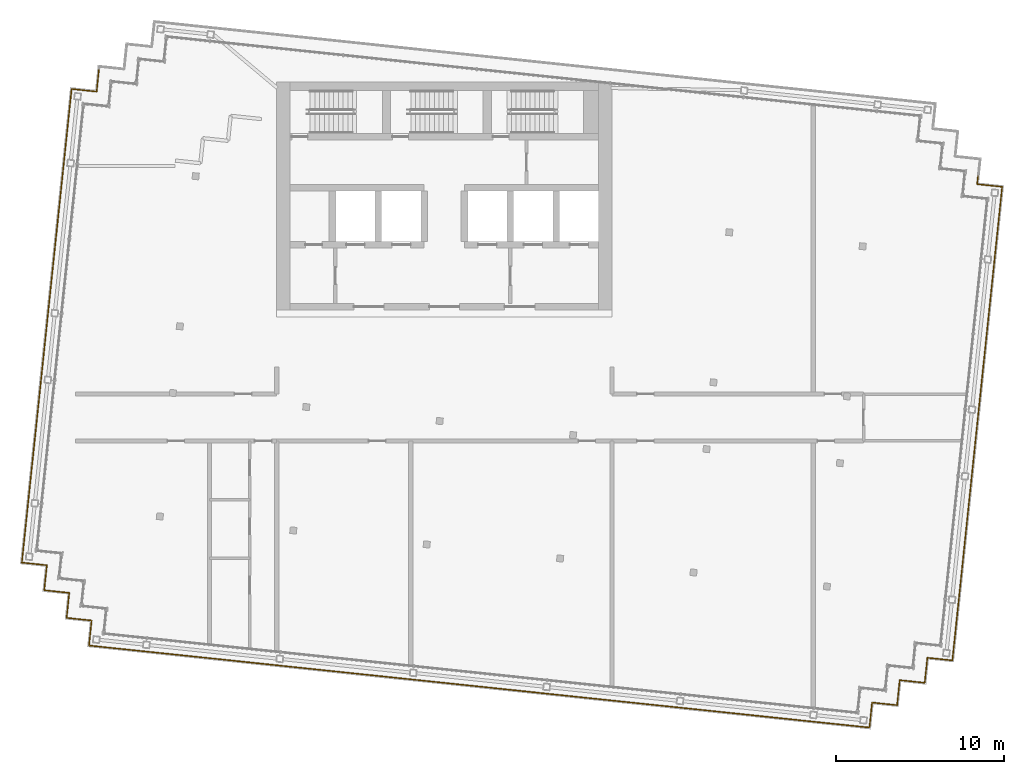
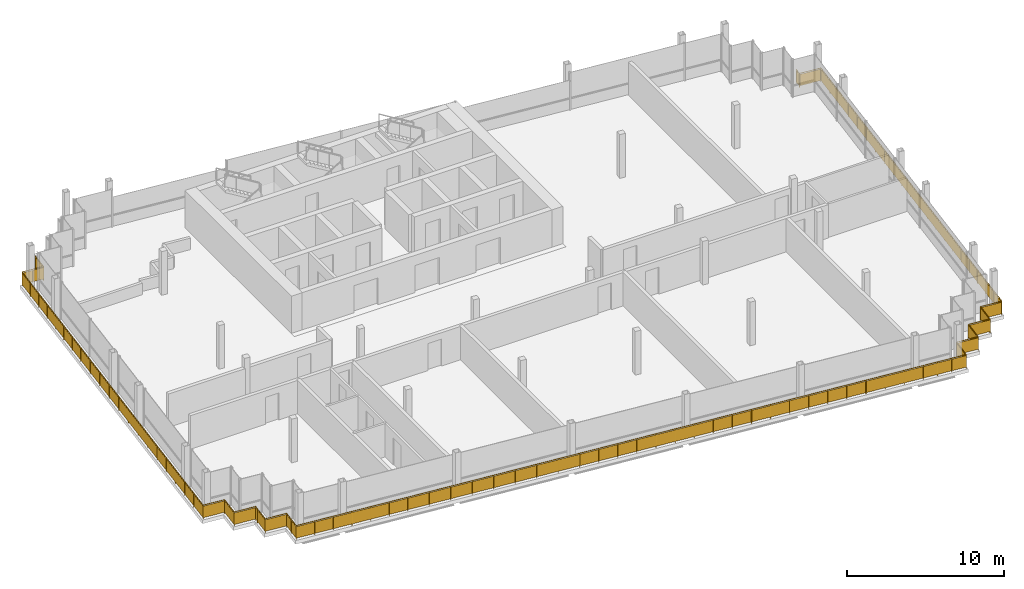
# One storey, part 13 of 15: 11 railings.
"""IFC4 building model written with IfcOpenShell, lengths in metres."""

import ifcopenshell
import ifcopenshell.guid

model = None  # the IFC model being written
_history = None  # IfcOwnerHistory: only IFC2X3 demands one
_inside = {}  # id of a spatial element -> (the spatial element, [elements in it])
_under = {}  # id of a project, library or spatial element -> (it, [spatial elements below it])
_declared = {}  # id of a project -> (the project, [libraries it declares])
_typed = {}  # id of a type object -> (the type object, [elements of that type])
_made_of = {}  # id of a material, layer set ... -> (it, [elements and type objects made of it])


def new_model(schema):
    """Start an empty IFC model of exactly this schema.

    Asked for "IFC4X3", IfcOpenShell would pick the latest addendum, in which some entities
    have other attributes; the version numbers below select the first issue.
    IFC2X3 requires an IfcOwnerHistory on every rooted entity: one is made here for all.
    """
    global model, _history
    if schema == "IFC4X3":
        model = ifcopenshell.file(schema_version=(4, 3, 0, 0))
    else:
        model = ifcopenshell.file(schema=schema)
    _inside.clear()
    _under.clear()
    _declared.clear()
    _typed.clear()
    _made_of.clear()
    _history = None
    if model.schema == "IFC2X3":
        org = make("IfcOrganization", Name="unknown")
        user = make(
            "IfcPersonAndOrganization",
            ThePerson=make("IfcPerson", FamilyName="unknown"),
            TheOrganization=org,
        )
        app = make(
            "IfcApplication",
            ApplicationDeveloper=org,
            Version="unknown",
            ApplicationFullName="unknown",
            ApplicationIdentifier="unknown",
        )
        _history = make(
            "IfcOwnerHistory",
            OwningUser=user,
            OwningApplication=app,
            ChangeAction="ADDED",
            CreationDate=0,
        )
    return model


def make(cls, **values):
    """One entity of the class cls with the attributes given. An attribute that is None is left unset."""
    return model.create_entity(
        cls, **{name: value for name, value in values.items() if value is not None}
    )


def rooted(cls, **values):
    """An entity with a GlobalId (a new one), such as an element, a storey or a relation."""
    return make(cls, GlobalId=ifcopenshell.guid.new(), OwnerHistory=_history, **values)


def si_unit(unit_type, name, prefix=None):
    """IfcSIUnit, for example si_unit("LENGTHUNIT", "METRE", prefix="MILLI")."""
    return make("IfcSIUnit", UnitType=unit_type, Prefix=prefix, Name=name)


def assignment(units):
    """IfcUnitAssignment: the units of a project."""
    return None if units is None else make("IfcUnitAssignment", Units=units)


def point(xyz):
    """IfcCartesianPoint."""
    return None if xyz is None else make("IfcCartesianPoint", Coordinates=xyz)


def direction(xyz):
    """IfcDirection."""
    return None if xyz is None else make("IfcDirection", DirectionRatios=xyz)


def frame(location, z_axis=None, x_axis=None):
    """IfcAxis2Placement3D, a coordinate frame: its origin and axes. An axis left out is left unset."""
    return make(
        "IfcAxis2Placement3D",
        Location=point(location),
        Axis=direction(z_axis),
        RefDirection=direction(x_axis),
    )


def frame_2d(location, x_axis=None):
    """IfcAxis2Placement2D, a coordinate frame in the plane: its origin and x axis."""
    return make(
        "IfcAxis2Placement2D", Location=point(location), RefDirection=direction(x_axis)
    )


def origin():
    """The frame at (0, 0, 0) with its axes left unset."""
    return frame((0.0, 0.0, 0.0))


def origin_2d():
    """The frame at (0, 0) in the plane with its x axis left unset."""
    return frame_2d((0.0, 0.0))


def place(relative_to, where):
    """IfcLocalPlacement: puts the frame where relative to a parent placement (None: the world)."""
    return make(
        "IfcLocalPlacement", PlacementRelTo=relative_to, RelativePlacement=where
    )


def context(
    kind, dimensions, precision=None, world=None, true_north=None, identifier=None
):
    """IfcGeometricRepresentationContext, for example the 3D "Model" context."""
    return make(
        "IfcGeometricRepresentationContext",
        ContextIdentifier=identifier,
        ContextType=kind,
        CoordinateSpaceDimension=dimensions,
        Precision=precision,
        WorldCoordinateSystem=world,
        TrueNorth=true_north,
    )


def subcontext(parent, identifier, kind, view, scale=None):
    """IfcGeometricRepresentationSubContext, for example "Body" below "Model"."""
    return make(
        "IfcGeometricRepresentationSubContext",
        ContextIdentifier=identifier,
        ContextType=kind,
        ParentContext=parent,
        TargetScale=scale,
        TargetView=view,
    )


def project(units=None, contexts=None):
    """IfcProject with its units and contexts."""
    return rooted(
        "IfcProject",
        Name="project",
        RepresentationContexts=contexts,
        UnitsInContext=assignment(units),
    )


def spatial(cls, under=None, at=None, **own):
    """A site, building, storey or space (cls), placed at a placement, below another one or the project."""
    s = rooted(cls, ObjectPlacement=at, **own)
    if under is not None:
        _under.setdefault(under.id(), (under, []))[1].append(s)
    return s


def profile(cls, at=None, kind="AREA", **sizes):
    """A parametric profile (cls). Its sizes go by their IFC names, for example OverallWidth=200.0."""
    return make(cls, ProfileType=kind, Position=at, **sizes)


def rectangle(**sizes):
    """IfcRectangleProfileDef."""
    return profile("IfcRectangleProfileDef", **sizes)


def circle(**sizes):
    """IfcCircleProfileDef."""
    return profile("IfcCircleProfileDef", **sizes)


def extrude(swept, where, along, depth):
    """IfcExtrudedAreaSolid: the profile swept, set in the frame where, extruded along a direction by depth."""
    return make(
        "IfcExtrudedAreaSolid",
        SweptArea=swept,
        Position=where,
        ExtrudedDirection=direction(along),
        Depth=depth,
    )


def shape(context_of_items, identifier, shape_type, items):
    """IfcShapeRepresentation: the items that make up one representation, for example the "Body"."""
    return make(
        "IfcShapeRepresentation",
        ContextOfItems=context_of_items,
        RepresentationIdentifier=identifier,
        RepresentationType=shape_type,
        Items=items,
    )


def material(Name=None, Category=None):
    """IfcMaterial."""
    return make("IfcMaterial", Name=Name, Category=Category)


def made_of(thing, what):
    """Note that an element or type object is made of a material, layer set ...; save() writes the relation."""
    if what is not None:
        _made_of.setdefault(what.id(), (what, []))[1].append(thing)
    return thing


def type_object(cls, material=None, **own):
    """A type object (cls), such as IfcWallType, which elements share."""
    return made_of(rooted(cls, **own), material)


def element(
    cls,
    number,
    at=None,
    inside=None,
    cuts=None,
    type_object=None,
    material=None,
    context=None,
    identifier="Body",
    shape_type=None,
    held_by="IfcProductDefinitionShape",
    body=None,
    shapes=None,
    **own,
):
    """One element of the class cls, such as IfcWall. Its Tag is "e" and its number.

    at: its placement. inside: the storey or other place that contains it. cuts: it is an
    opening in that element (IfcRelVoidsElement). A single representation is given by context,
    identifier, shape_type and body (its items); several are given by shapes. held_by: the class
    of the entity that holds the representations. save() writes the other relations.
    """
    e = rooted(cls, Tag="e%d" % number, ObjectPlacement=at, **own)
    if body is not None:
        shapes = [shape(context, identifier, shape_type, body)]
    if shapes is not None:
        e.Representation = make(held_by, Representations=shapes)
    if inside is not None:
        _inside.setdefault(inside.id(), (inside, []))[1].append(e)
    if cuts is not None:
        rooted(
            "IfcRelVoidsElement", RelatingBuildingElement=cuts, RelatedOpeningElement=e
        )
    if type_object is not None:
        _typed.setdefault(type_object.id(), (type_object, []))[1].append(e)
    return made_of(e, material)


def aggregate(whole, parts):
    """IfcRelAggregates: a whole, such as a stair, and the parts it consists of."""
    return rooted("IfcRelAggregates", RelatingObject=whole, RelatedObjects=parts)


def save(model, path):
    """Write the relations noted so far, then the file.

    IfcRelAggregates (storeys below a building ...), IfcRelContainedInSpatialStructure (elements
    in a storey), IfcRelDefinesByType, IfcRelAssociatesMaterial and IfcRelDeclares: one each for
    every whole, place, type object, material and project.
    """
    for whole, parts in _under.values():
        aggregate(whole, parts)
    for where, things in _inside.values():
        rooted(
            "IfcRelContainedInSpatialStructure",
            RelatedElements=things,
            RelatingStructure=where,
        )
    for kind, things in _typed.values():
        rooted("IfcRelDefinesByType", RelatedObjects=things, RelatingType=kind)
    for what, things in _made_of.values():
        rooted("IfcRelAssociatesMaterial", RelatedObjects=things, RelatingMaterial=what)
    for by, libraries in _declared.values():
        rooted("IfcRelDeclares", RelatingContext=by, RelatedDefinitions=libraries)
    model.write(path)


model = new_model("IFC4")

# Units and contexts
model_context = context("Model", 3, precision=1e-05, world=origin(), true_north=direction((0.0, 1.0)))
body_context = subcontext(model_context, "Body", "Model", "MODEL_VIEW")
ifc_project = project(units=[si_unit("LENGTHUNIT", "METRE"), si_unit("AREAUNIT", "SQUARE_METRE"), si_unit("VOLUMEUNIT", "CUBIC_METRE"), si_unit("PLANEANGLEUNIT", "RADIAN"), si_unit("MASSUNIT", "GRAM", prefix="KILO")], contexts=[model_context])

# Site, building, storey
site_placement = place(None, origin())
site = spatial("IfcSite", under=ifc_project, at=site_placement, CompositionType="ELEMENT")
building_placement = place(site_placement, origin())
building = spatial("IfcBuilding", under=site, at=building_placement, Name="Vidyagriha Tower", CompositionType="ELEMENT")
storey_placement = place(building_placement, frame((0.0, 0.0, 298.300048828125)))
storey = spatial("IfcBuildingStorey", under=building, at=storey_placement, Name="L77", CompositionType="ELEMENT", Elevation=298.300048828125)

# Railings
ifc_material = material(Name="Steel ASTM A500 Grade C black painted", Category="steel")
railing_type = type_object("IfcRailingType", Name="Gallery guard 1100", PredefinedType="GUARDRAIL", material=ifc_material)
railing_1_placement = place(storey_placement, frame((30.297607421875, -14.485595703125, 0.0)))
element("IfcRailing", 1, at=railing_1_placement, inside=storey, type_object=railing_type, Name="Gallery guard L77 1", PredefinedType="GUARDRAIL", context=body_context, shape_type="SweptSolid", body=[
    extrude(circle(Radius=0.02490234375, at=origin_2d()), frame((0.0, 0.0, 1.0751953125), z_axis=(-0.994525057048, 0.104498377516, 0.0), x_axis=(-0.104498377516, -0.994525057048, 0.0)), (0.0, 0.0, 1.0), 1.5),
    extrude(circle(Radius=0.02490234375, at=origin_2d()), frame((-1.49169921875, 0.15673828125, 1.0751953125), z_axis=(-0.104498377516, -0.994525057048, 0.0), x_axis=(0.994525057048, -0.104498377516, 0.0)), (0.0, 0.0, 1.0), 1.5),
    extrude(circle(Radius=0.02490234375, at=origin_2d()), frame((-1.6484375, -1.3349609375, 1.0751953125), z_axis=(-0.994525057048, 0.104498377516, 0.0), x_axis=(-0.104498377516, -0.994525057048, 0.0)), (0.0, 0.0, 1.0), 1.5),
    extrude(circle(Radius=0.02490234375, at=origin_2d()), frame((-3.14013671875, -1.17822265625, 1.0751953125), z_axis=(-0.104659366031, -0.994508128223, 0.0), x_axis=(0.994508128223, -0.104659366031, 0.0)), (0.0, 0.0, 1.0), 1.5),
    extrude(circle(Radius=0.02490234375, at=origin_2d()), frame((-3.297119140625, -2.669921875, 1.0751953125), z_axis=(-0.994525057048, 0.104498377516, 0.0), x_axis=(-0.104498377516, -0.994525057048, 0.0)), (0.0, 0.0, 1.0), 1.5),
    extrude(circle(Radius=0.02490234375, at=origin_2d()), frame((-4.788818359375, -2.51318359375, 1.0751953125), z_axis=(-0.104498377516, -0.994525057048, 0.0), x_axis=(0.994525057048, -0.104498377516, 0.0)), (0.0, 0.0, 1.0), 1.5),
    extrude(circle(Radius=0.02490234375, at=origin_2d()), frame((-4.945556640625, -4.0048828125, 1.0751953125), z_axis=(-0.994525945657, 0.104489920156, 0.0), x_axis=(-0.104489920156, -0.994525945657, 0.0)), (0.0, 0.0, 1.0), 3.0),
    extrude(circle(Radius=0.02001953125, at=origin_2d()), origin(), (0.0, 0.0, 1.0), 1.050048828125),
    extrude(circle(Radius=0.02001953125, at=origin_2d()), frame((-1.49169921875, 0.15673828125, 0.0)), (0.0, 0.0, 1.0), 1.050048828125),
    extrude(circle(Radius=0.02001953125, at=origin_2d()), frame((-1.6484375, -1.3349609375, 0.0)), (0.0, 0.0, 1.0), 1.050048828125),
    extrude(circle(Radius=0.02001953125, at=origin_2d()), frame((-3.14013671875, -1.17822265625, 0.0)), (0.0, 0.0, 1.0), 1.050048828125),
    extrude(circle(Radius=0.02001953125, at=origin_2d()), frame((-3.297119140625, -2.669921875, 0.0)), (0.0, 0.0, 1.0), 1.050048828125),
    extrude(circle(Radius=0.02001953125, at=origin_2d()), frame((-4.788818359375, -2.51318359375, 0.0)), (0.0, 0.0, 1.0), 1.050048828125),
    extrude(circle(Radius=0.02001953125, at=origin_2d()), frame((-4.945556640625, -4.0048828125, 0.0)), (0.0, 0.0, 1.0), 1.050048828125),
    extrude(circle(Radius=0.02001953125, at=origin_2d()), frame((-5.940185546875, -3.900390625, 0.0)), (0.0, 0.0, 1.0), 1.050048828125),
    extrude(circle(Radius=0.02001953125, at=origin_2d()), frame((-6.9345703125, -3.7958984375, 0.0)), (0.0, 0.0, 1.0), 1.050048828125),
    extrude(circle(Radius=0.02001953125, at=origin_2d()), frame((-7.92919921875, -3.69140625, 0.0)), (0.0, 0.0, 1.0), 1.050048828125),
    extrude(rectangle(XDim=0.010009765625, YDim=0.900146484375, at=origin_2d()), frame((0.0, 0.0, 0.550048828125), z_axis=(-0.994525057048, 0.104498377516, 0.0), x_axis=(-0.104498377516, -0.994525057048, 0.0)), (0.0, 0.0, 1.0), 1.5),
    extrude(rectangle(XDim=0.010009765625, YDim=0.900146484375, at=origin_2d()), frame((-1.49169921875, 0.15673828125, 0.550048828125), z_axis=(-0.104498377516, -0.994525057048, 0.0), x_axis=(0.994525057048, -0.104498377516, 0.0)), (0.0, 0.0, 1.0), 1.5),
    extrude(rectangle(XDim=0.010009765625, YDim=0.900146484375, at=origin_2d()), frame((-1.6484375, -1.3349609375, 0.550048828125), z_axis=(-0.994525057048, 0.104498377516, 0.0), x_axis=(-0.104498377516, -0.994525057048, 0.0)), (0.0, 0.0, 1.0), 1.5),
    extrude(rectangle(XDim=0.010009765625, YDim=0.900146484375, at=origin_2d()), frame((-3.14013671875, -1.17822265625, 0.550048828125), z_axis=(-0.104659366031, -0.994508128223, 0.0), x_axis=(0.994508128223, -0.104659366031, 0.0)), (0.0, 0.0, 1.0), 1.5),
    extrude(rectangle(XDim=0.010009765625, YDim=0.900146484375, at=origin_2d()), frame((-3.297119140625, -2.669921875, 0.550048828125), z_axis=(-0.994525057048, 0.104498377516, 0.0), x_axis=(-0.104498377516, -0.994525057048, 0.0)), (0.0, 0.0, 1.0), 1.5),
    extrude(rectangle(XDim=0.010009765625, YDim=0.900146484375, at=origin_2d()), frame((-4.788818359375, -2.51318359375, 0.550048828125), z_axis=(-0.104498377516, -0.994525057048, 0.0), x_axis=(0.994525057048, -0.104498377516, 0.0)), (0.0, 0.0, 1.0), 1.5),
    extrude(rectangle(XDim=0.010009765625, YDim=0.900146484375, at=origin_2d()), frame((-4.945556640625, -4.0048828125, 0.550048828125), z_axis=(-0.994525945657, 0.104489920156, 0.0), x_axis=(-0.104489920156, -0.994525945657, 0.0)), (0.0, 0.0, 1.0), 3.0),
])
railing_2_placement = place(storey_placement, frame((22.368408203125, -18.177001953125, 0.0)))
element("IfcRailing", 2, at=railing_2_placement, inside=storey, type_object=railing_type, Name="Gallery guard L77 2", PredefinedType="GUARDRAIL", context=body_context, shape_type="SweptSolid", body=[
    extrude(circle(Radius=0.02490234375, at=origin_2d()), frame((0.0, 0.0, 1.0751953125), z_axis=(-0.994521494219, 0.104532279878, 0.0), x_axis=(-0.104532279878, -0.994521494219, 0.0)), (0.0, 0.0, 1.0), 12.0),
    extrude(circle(Radius=0.02001953125, at=origin_2d()), origin(), (0.0, 0.0, 1.0), 1.050048828125),
    extrude(circle(Radius=0.02001953125, at=origin_2d()), frame((-1.325927734375, 0.139404296875, 0.0)), (0.0, 0.0, 1.0), 1.050048828125),
    extrude(circle(Radius=0.02001953125, at=origin_2d()), frame((-2.652099609375, 0.27880859375, 0.0)), (0.0, 0.0, 1.0), 1.050048828125),
    extrude(circle(Radius=0.02001953125, at=origin_2d()), frame((-3.97802734375, 0.418212890625, 0.0)), (0.0, 0.0, 1.0), 1.050048828125),
    extrude(circle(Radius=0.02001953125, at=origin_2d()), frame((-5.30419921875, 0.5576171875, 0.0)), (0.0, 0.0, 1.0), 1.050048828125),
    extrude(circle(Radius=0.02001953125, at=origin_2d()), frame((-6.630126953125, 0.69677734375, 0.0)), (0.0, 0.0, 1.0), 1.050048828125),
    extrude(circle(Radius=0.02001953125, at=origin_2d()), frame((-7.956298828125, 0.836181640625, 0.0)), (0.0, 0.0, 1.0), 1.050048828125),
    extrude(circle(Radius=0.02001953125, at=origin_2d()), frame((-9.2822265625, 0.9755859375, 0.0)), (0.0, 0.0, 1.0), 1.050048828125),
    extrude(circle(Radius=0.02001953125, at=origin_2d()), frame((-10.6083984375, 1.114990234375, 0.0)), (0.0, 0.0, 1.0), 1.050048828125),
    extrude(circle(Radius=0.02001953125, at=origin_2d()), frame((-11.934326171875, 1.25439453125, 0.0)), (0.0, 0.0, 1.0), 1.050048828125),
    extrude(rectangle(XDim=0.010009765625, YDim=0.900146484375, at=origin_2d()), frame((0.0, 0.0, 0.550048828125), z_axis=(-0.994521494219, 0.104532279878, 0.0), x_axis=(-0.104532279878, -0.994521494219, 0.0)), (0.0, 0.0, 1.0), 12.0),
])
railing_3_placement = place(storey_placement, frame((10.43408203125, -16.922607421875, 0.0)))
element("IfcRailing", 3, at=railing_3_placement, inside=storey, type_object=railing_type, Name="Gallery guard L77 3", PredefinedType="GUARDRAIL", context=body_context, shape_type="SweptSolid", body=[
    extrude(circle(Radius=0.02490234375, at=origin_2d()), frame((0.0, 0.0, 1.0751953125), z_axis=(-0.994521494219, 0.104532279878, 0.0), x_axis=(-0.104532279878, -0.994521494219, 0.0)), (0.0, 0.0, 1.0), 12.0),
    extrude(circle(Radius=0.02001953125, at=origin_2d()), origin(), (0.0, 0.0, 1.0), 1.050048828125),
    extrude(circle(Radius=0.02001953125, at=origin_2d()), frame((-1.325927734375, 0.139404296875, 0.0)), (0.0, 0.0, 1.0), 1.050048828125),
    extrude(circle(Radius=0.02001953125, at=origin_2d()), frame((-2.652099609375, 0.27880859375, 0.0)), (0.0, 0.0, 1.0), 1.050048828125),
    extrude(circle(Radius=0.02001953125, at=origin_2d()), frame((-3.97802734375, 0.418212890625, 0.0)), (0.0, 0.0, 1.0), 1.050048828125),
    extrude(circle(Radius=0.02001953125, at=origin_2d()), frame((-5.30419921875, 0.5576171875, 0.0)), (0.0, 0.0, 1.0), 1.050048828125),
    extrude(circle(Radius=0.02001953125, at=origin_2d()), frame((-6.630126953125, 0.69677734375, 0.0)), (0.0, 0.0, 1.0), 1.050048828125),
    extrude(circle(Radius=0.02001953125, at=origin_2d()), frame((-7.956298828125, 0.836181640625, 0.0)), (0.0, 0.0, 1.0), 1.050048828125),
    extrude(circle(Radius=0.02001953125, at=origin_2d()), frame((-9.2822265625, 0.9755859375, 0.0)), (0.0, 0.0, 1.0), 1.050048828125),
    extrude(circle(Radius=0.02001953125, at=origin_2d()), frame((-10.6083984375, 1.114990234375, 0.0)), (0.0, 0.0, 1.0), 1.050048828125),
    extrude(circle(Radius=0.02001953125, at=origin_2d()), frame((-11.934326171875, 1.25439453125, 0.0)), (0.0, 0.0, 1.0), 1.050048828125),
    extrude(rectangle(XDim=0.010009765625, YDim=0.900146484375, at=origin_2d()), frame((0.0, 0.0, 0.550048828125), z_axis=(-0.994521494219, 0.104532279878, 0.0), x_axis=(-0.104532279878, -0.994521494219, 0.0)), (0.0, 0.0, 1.0), 12.0),
])
railing_4_placement = place(storey_placement, frame((-1.500244140625, -15.668212890625, 0.0)))
element("IfcRailing", 4, at=railing_4_placement, inside=storey, type_object=railing_type, Name="Gallery guard L77 4", PredefinedType="GUARDRAIL", context=body_context, shape_type="SweptSolid", body=[
    extrude(circle(Radius=0.02490234375, at=origin_2d()), frame((0.0, 0.0, 1.0751953125), z_axis=(-0.994521271903, 0.104534394972, 0.0), x_axis=(-0.104534394972, -0.994521271903, 0.0)), (0.0, 0.0, 1.0), 11.999755859375),
    extrude(circle(Radius=0.02001953125, at=origin_2d()), origin(), (0.0, 0.0, 1.0), 1.050048828125),
    extrude(circle(Radius=0.02001953125, at=origin_2d()), frame((-1.49169921875, 0.15673828125, 0.0)), (0.0, 0.0, 1.0), 1.050048828125),
    extrude(circle(Radius=0.02001953125, at=origin_2d()), frame((-2.9833984375, 0.3134765625, 0.0)), (0.0, 0.0, 1.0), 1.050048828125),
    extrude(circle(Radius=0.02001953125, at=origin_2d()), frame((-4.475341796875, 0.470458984375, 0.0)), (0.0, 0.0, 1.0), 1.050048828125),
    extrude(circle(Radius=0.02001953125, at=origin_2d()), frame((-5.967041015625, 0.627197265625, 0.0)), (0.0, 0.0, 1.0), 1.050048828125),
    extrude(circle(Radius=0.02001953125, at=origin_2d()), frame((-7.458740234375, 0.783935546875, 0.0)), (0.0, 0.0, 1.0), 1.050048828125),
    extrude(circle(Radius=0.02001953125, at=origin_2d()), frame((-8.95068359375, 0.94091796875, 0.0)), (0.0, 0.0, 1.0), 1.050048828125),
    extrude(circle(Radius=0.02001953125, at=origin_2d()), frame((-10.4423828125, 1.09765625, 0.0)), (0.0, 0.0, 1.0), 1.050048828125),
    extrude(circle(Radius=0.02001953125, at=origin_2d()), frame((-11.93408203125, 1.25439453125, 0.0)), (0.0, 0.0, 1.0), 1.050048828125),
    extrude(rectangle(XDim=0.010009765625, YDim=0.900146484375, at=origin_2d()), frame((0.0, 0.0, 0.550048828125), z_axis=(-0.994521271903, 0.104534394972, 0.0), x_axis=(-0.104534394972, -0.994521271903, 0.0)), (0.0, 0.0, 1.0), 11.999755859375),
])
railing_5_placement = place(storey_placement, frame((-13.434326171875, -14.413818359375, 0.0)))
element("IfcRailing", 5, at=railing_5_placement, inside=storey, type_object=railing_type, Name="Gallery guard L77 5", PredefinedType="GUARDRAIL", context=body_context, shape_type="SweptSolid", body=[
    extrude(circle(Radius=0.02490234375, at=origin_2d()), frame((0.0, 0.0, 1.0751953125), z_axis=(-0.994523788829, 0.10451044662, 0.0), x_axis=(-0.10451044662, -0.994523788829, 0.0)), (0.0, 0.0, 1.0), 7.800048828125),
    extrude(circle(Radius=0.02490234375, at=origin_2d()), frame((-7.75732421875, 0.815185546875, 1.0751953125), z_axis=(0.104481464157, 0.994526834051, 0.0), x_axis=(-0.994526834051, 0.104481464157, 0.0)), (0.0, 0.0, 1.0), 1.500244140625),
    extrude(circle(Radius=0.02490234375, at=origin_2d()), frame((-7.6005859375, 2.30712890625, 1.0751953125), z_axis=(-0.994525057048, 0.104498377516, 0.0), x_axis=(-0.104498377516, -0.994525057048, 0.0)), (0.0, 0.0, 1.0), 1.5),
    extrude(circle(Radius=0.02490234375, at=origin_2d()), frame((-9.09228515625, 2.4638671875, 1.0751953125), z_axis=(0.104578872801, 0.994516595821, 0.0), x_axis=(-0.994516595821, 0.104578872801, 0.0)), (0.0, 0.0, 1.0), 1.199951171875),
    extrude(circle(Radius=0.02001953125, at=origin_2d()), origin(), (0.0, 0.0, 1.0), 1.050048828125),
    extrude(circle(Radius=0.02001953125, at=origin_2d()), frame((-1.29296875, 0.1357421875, 0.0)), (0.0, 0.0, 1.0), 1.050048828125),
    extrude(circle(Radius=0.02001953125, at=origin_2d()), frame((-2.585693359375, 0.271728515625, 0.0)), (0.0, 0.0, 1.0), 1.050048828125),
    extrude(circle(Radius=0.02001953125, at=origin_2d()), frame((-3.878662109375, 0.40771484375, 0.0)), (0.0, 0.0, 1.0), 1.050048828125),
    extrude(circle(Radius=0.02001953125, at=origin_2d()), frame((-5.171630859375, 0.54345703125, 0.0)), (0.0, 0.0, 1.0), 1.050048828125),
    extrude(circle(Radius=0.02001953125, at=origin_2d()), frame((-6.46435546875, 0.67919921875, 0.0)), (0.0, 0.0, 1.0), 1.050048828125),
    extrude(circle(Radius=0.02001953125, at=origin_2d()), frame((-7.75732421875, 0.815185546875, 0.0)), (0.0, 0.0, 1.0), 1.050048828125),
    extrude(circle(Radius=0.02001953125, at=origin_2d()), frame((-7.678955078125, 1.56103515625, 0.0)), (0.0, 0.0, 1.0), 1.050048828125),
    extrude(circle(Radius=0.02001953125, at=origin_2d()), frame((-7.6005859375, 2.30712890625, 0.0)), (0.0, 0.0, 1.0), 1.050048828125),
    extrude(circle(Radius=0.02001953125, at=origin_2d()), frame((-9.09228515625, 2.4638671875, 0.0)), (0.0, 0.0, 1.0), 1.050048828125),
    extrude(circle(Radius=0.02001953125, at=origin_2d()), frame((-8.966796875, 3.6572265625, 0.0)), (0.0, 0.0, 1.0), 1.050048828125),
    extrude(rectangle(XDim=0.010009765625, YDim=0.900146484375, at=origin_2d()), frame((0.0, 0.0, 0.550048828125), z_axis=(-0.994523788829, 0.10451044662, 0.0), x_axis=(-0.10451044662, -0.994523788829, 0.0)), (0.0, 0.0, 1.0), 7.800048828125),
    extrude(rectangle(XDim=0.010009765625, YDim=0.900146484375, at=origin_2d()), frame((-7.75732421875, 0.815185546875, 0.550048828125), z_axis=(0.104481464157, 0.994526834051, 0.0), x_axis=(-0.994526834051, 0.104481464157, 0.0)), (0.0, 0.0, 1.0), 1.500244140625),
    extrude(rectangle(XDim=0.010009765625, YDim=0.900146484375, at=origin_2d()), frame((-7.6005859375, 2.30712890625, 0.550048828125), z_axis=(-0.994525057048, 0.104498377516, 0.0), x_axis=(-0.104498377516, -0.994525057048, 0.0)), (0.0, 0.0, 1.0), 1.5),
    extrude(rectangle(XDim=0.010009765625, YDim=0.900146484375, at=origin_2d()), frame((-9.09228515625, 2.4638671875, 0.550048828125), z_axis=(0.104578872801, 0.994516595821, 0.0), x_axis=(-0.994516595821, 0.104578872801, 0.0)), (0.0, 0.0, 1.0), 1.199951171875),
])
railing_6_placement = place(storey_placement, frame((-22.401123046875, -10.756591796875, 0.0)))
element("IfcRailing", 6, at=railing_6_placement, inside=storey, type_object=railing_type, Name="Gallery guard L77 6", PredefinedType="GUARDRAIL", context=body_context, shape_type="SweptSolid", body=[
    extrude(circle(Radius=0.02490234375, at=origin_2d()), frame((0.0, 0.0, 1.0751953125), z_axis=(0.104176375855, 0.994558838236, 0.0), x_axis=(-0.994558838236, 0.104176375855, 0.0)), (0.0, 0.0, 1.0), 0.300048828125),
    extrude(circle(Radius=0.02490234375, at=origin_2d()), frame((0.03125, 0.29833984375, 1.0751953125), z_axis=(-0.994525057048, 0.104498377516, 0.0), x_axis=(-0.104498377516, -0.994525057048, 0.0)), (0.0, 0.0, 1.0), 1.5),
    extrude(circle(Radius=0.02490234375, at=origin_2d()), frame((-1.46044921875, 0.455078125, 1.0751953125), z_axis=(0.104498377516, 0.994525057048, 0.0), x_axis=(-0.994525057048, 0.104498377516, 0.0)), (0.0, 0.0, 1.0), 1.5),
    extrude(circle(Radius=0.02490234375, at=origin_2d()), frame((-1.3037109375, 1.94677734375, 1.0751953125), z_axis=(-0.994508128223, 0.104659366031, 0.0), x_axis=(-0.104659366031, -0.994508128223, 0.0)), (0.0, 0.0, 1.0), 1.5),
    extrude(circle(Radius=0.02490234375, at=origin_2d()), frame((-2.79541015625, 2.103759765625, 1.0751953125), z_axis=(0.10450474476, 0.994524387998, 0.0), x_axis=(-0.994524387998, 0.10450474476, 0.0)), (0.0, 0.0, 1.0), 7.199951171875),
    extrude(circle(Radius=0.02001953125, at=origin_2d()), origin(), (0.0, 0.0, 1.0), 1.050048828125),
    extrude(circle(Radius=0.02001953125, at=origin_2d()), frame((0.03125, 0.29833984375, 0.0)), (0.0, 0.0, 1.0), 1.050048828125),
    extrude(circle(Radius=0.02001953125, at=origin_2d()), frame((-1.46044921875, 0.455078125, 0.0)), (0.0, 0.0, 1.0), 1.050048828125),
    extrude(circle(Radius=0.02001953125, at=origin_2d()), frame((-1.3037109375, 1.94677734375, 0.0)), (0.0, 0.0, 1.0), 1.050048828125),
    extrude(circle(Radius=0.02001953125, at=origin_2d()), frame((-2.79541015625, 2.103759765625, 0.0)), (0.0, 0.0, 1.0), 1.050048828125),
    extrude(circle(Radius=0.02001953125, at=origin_2d()), frame((-2.64501953125, 3.535888671875, 0.0)), (0.0, 0.0, 1.0), 1.050048828125),
    extrude(circle(Radius=0.02001953125, at=origin_2d()), frame((-2.494384765625, 4.968017578125, 0.0)), (0.0, 0.0, 1.0), 1.050048828125),
    extrude(circle(Radius=0.02001953125, at=origin_2d()), frame((-2.343994140625, 6.400146484375, 0.0)), (0.0, 0.0, 1.0), 1.050048828125),
    extrude(circle(Radius=0.02001953125, at=origin_2d()), frame((-2.193359375, 7.832275390625, 0.0)), (0.0, 0.0, 1.0), 1.050048828125),
    extrude(circle(Radius=0.02001953125, at=origin_2d()), frame((-2.04296875, 9.264404296875, 0.0)), (0.0, 0.0, 1.0), 1.050048828125),
    extrude(rectangle(XDim=0.010009765625, YDim=0.900146484375, at=origin_2d()), frame((0.0, 0.0, 0.550048828125), z_axis=(0.104176375855, 0.994558838236, 0.0), x_axis=(-0.994558838236, 0.104176375855, 0.0)), (0.0, 0.0, 1.0), 0.300048828125),
    extrude(rectangle(XDim=0.010009765625, YDim=0.900146484375, at=origin_2d()), frame((0.03125, 0.29833984375, 0.550048828125), z_axis=(-0.994525057048, 0.104498377516, 0.0), x_axis=(-0.104498377516, -0.994525057048, 0.0)), (0.0, 0.0, 1.0), 1.5),
    extrude(rectangle(XDim=0.010009765625, YDim=0.900146484375, at=origin_2d()), frame((-1.46044921875, 0.455078125, 0.550048828125), z_axis=(0.104498377516, 0.994525057048, 0.0), x_axis=(-0.994525057048, 0.104498377516, 0.0)), (0.0, 0.0, 1.0), 1.5),
    extrude(rectangle(XDim=0.010009765625, YDim=0.900146484375, at=origin_2d()), frame((-1.3037109375, 1.94677734375, 0.550048828125), z_axis=(-0.994508128223, 0.104659366031, 0.0), x_axis=(-0.104659366031, -0.994508128223, 0.0)), (0.0, 0.0, 1.0), 1.5),
    extrude(rectangle(XDim=0.010009765625, YDim=0.900146484375, at=origin_2d()), frame((-2.79541015625, 2.103759765625, 0.550048828125), z_axis=(0.10450474476, 0.994524387998, 0.0), x_axis=(-0.994524387998, 0.10450474476, 0.0)), (0.0, 0.0, 1.0), 7.199951171875),
])
railing_7_placement = place(storey_placement, frame((-24.444091796875, -1.4921875, 0.0)))
element("IfcRailing", 7, at=railing_7_placement, inside=storey, type_object=railing_type, Name="Gallery guard L77 7", PredefinedType="GUARDRAIL", context=body_context, shape_type="SweptSolid", body=[
    extrude(circle(Radius=0.02490234375, at=origin_2d()), frame((0.0, 0.0, 1.0751953125), z_axis=(0.104534394972, 0.994521271903, 0.0), x_axis=(-0.994521271903, 0.104534394972, 0.0)), (0.0, 0.0, 1.0), 11.999755859375),
    extrude(circle(Radius=0.02001953125, at=origin_2d()), origin(), (0.0, 0.0, 1.0), 1.050048828125),
    extrude(circle(Radius=0.02001953125, at=origin_2d()), frame((0.15673828125, 1.49169921875, 0.0)), (0.0, 0.0, 1.0), 1.050048828125),
    extrude(circle(Radius=0.02001953125, at=origin_2d()), frame((0.3134765625, 2.9833984375, 0.0)), (0.0, 0.0, 1.0), 1.050048828125),
    extrude(circle(Radius=0.02001953125, at=origin_2d()), frame((0.470458984375, 4.475341796875, 0.0)), (0.0, 0.0, 1.0), 1.050048828125),
    extrude(circle(Radius=0.02001953125, at=origin_2d()), frame((0.627197265625, 5.967041015625, 0.0)), (0.0, 0.0, 1.0), 1.050048828125),
    extrude(circle(Radius=0.02001953125, at=origin_2d()), frame((0.783935546875, 7.458740234375, 0.0)), (0.0, 0.0, 1.0), 1.050048828125),
    extrude(circle(Radius=0.02001953125, at=origin_2d()), frame((0.94091796875, 8.95068359375, 0.0)), (0.0, 0.0, 1.0), 1.050048828125),
    extrude(circle(Radius=0.02001953125, at=origin_2d()), frame((1.09765625, 10.4423828125, 0.0)), (0.0, 0.0, 1.0), 1.050048828125),
    extrude(circle(Radius=0.02001953125, at=origin_2d()), frame((1.25439453125, 11.93408203125, 0.0)), (0.0, 0.0, 1.0), 1.050048828125),
    extrude(rectangle(XDim=0.010009765625, YDim=0.900146484375, at=origin_2d()), frame((0.0, 0.0, 0.550048828125), z_axis=(0.104534394972, 0.994521271903, 0.0), x_axis=(-0.994521271903, 0.104534394972, 0.0)), (0.0, 0.0, 1.0), 11.999755859375),
])
railing_8_placement = place(storey_placement, frame((-23.189697265625, 10.44189453125, 0.0)))
element("IfcRailing", 8, at=railing_8_placement, inside=storey, type_object=railing_type, Name="Gallery guard L77 8", PredefinedType="GUARDRAIL", context=body_context, shape_type="SweptSolid", body=[
    extrude(circle(Radius=0.02490234375, at=origin_2d()), frame((0.0, 0.0, 1.0751953125), z_axis=(0.104528688334, 0.994521871713, 0.0), x_axis=(-0.994521871713, 0.104528688334, 0.0)), (0.0, 0.0, 1.0), 9.199951171875),
    extrude(circle(Radius=0.02490234375, at=origin_2d()), frame((0.961669921875, 9.149658203125, 1.0751953125), z_axis=(0.994526834051, -0.104481464157, 0.0), x_axis=(0.104481464157, 0.994526834051, 0.0)), (0.0, 0.0, 1.0), 1.500244140625),
    extrude(circle(Radius=0.02490234375, at=origin_2d()), frame((2.45361328125, 8.992919921875, 1.0751953125), z_axis=(0.104411070641, 0.994534226826, 0.0), x_axis=(-0.994534226826, 0.104411070641, 0.0)), (0.0, 0.0, 1.0), 1.300048828125),
    extrude(circle(Radius=0.02001953125, at=origin_2d()), origin(), (0.0, 0.0, 1.0), 1.050048828125),
    extrude(circle(Radius=0.02001953125, at=origin_2d()), frame((0.137451171875, 1.30712890625, 0.0)), (0.0, 0.0, 1.0), 1.050048828125),
    extrude(circle(Radius=0.02001953125, at=origin_2d()), frame((0.274658203125, 2.6142578125, 0.0)), (0.0, 0.0, 1.0), 1.050048828125),
    extrude(circle(Radius=0.02001953125, at=origin_2d()), frame((0.412109375, 3.92138671875, 0.0)), (0.0, 0.0, 1.0), 1.050048828125),
    extrude(circle(Radius=0.02001953125, at=origin_2d()), frame((0.549560546875, 5.228271484375, 0.0)), (0.0, 0.0, 1.0), 1.050048828125),
    extrude(circle(Radius=0.02001953125, at=origin_2d()), frame((0.68701171875, 6.535400390625, 0.0)), (0.0, 0.0, 1.0), 1.050048828125),
    extrude(circle(Radius=0.02001953125, at=origin_2d()), frame((0.82421875, 7.842529296875, 0.0)), (0.0, 0.0, 1.0), 1.050048828125),
    extrude(circle(Radius=0.02001953125, at=origin_2d()), frame((0.961669921875, 9.149658203125, 0.0)), (0.0, 0.0, 1.0), 1.050048828125),
    extrude(circle(Radius=0.02001953125, at=origin_2d()), frame((1.70751953125, 9.0712890625, 0.0)), (0.0, 0.0, 1.0), 1.050048828125),
    extrude(circle(Radius=0.02001953125, at=origin_2d()), frame((2.45361328125, 8.992919921875, 0.0)), (0.0, 0.0, 1.0), 1.050048828125),
    extrude(circle(Radius=0.02001953125, at=origin_2d()), frame((2.58935546875, 10.285888671875, 0.0)), (0.0, 0.0, 1.0), 1.050048828125),
    extrude(rectangle(XDim=0.010009765625, YDim=0.900146484375, at=origin_2d()), frame((0.0, 0.0, 0.550048828125), z_axis=(0.104528688334, 0.994521871713, 0.0), x_axis=(-0.994521871713, 0.104528688334, 0.0)), (0.0, 0.0, 1.0), 9.199951171875),
    extrude(rectangle(XDim=0.010009765625, YDim=0.900146484375, at=origin_2d()), frame((0.961669921875, 9.149658203125, 0.550048828125), z_axis=(0.994526834051, -0.104481464157, 0.0), x_axis=(0.104481464157, 0.994526834051, 0.0)), (0.0, 0.0, 1.0), 1.500244140625),
    extrude(rectangle(XDim=0.010009765625, YDim=0.900146484375, at=origin_2d()), frame((2.45361328125, 8.992919921875, 0.550048828125), z_axis=(0.104411070641, 0.994534226826, 0.0), x_axis=(-0.994534226826, 0.104411070641, 0.0)), (0.0, 0.0, 1.0), 1.300048828125),
])
railing_9_placement = place(storey_placement, frame((31.826904296875, 14.412841796875, 0.0)))
element("IfcRailing", 9, at=railing_9_placement, inside=storey, type_object=railing_type, Name="Gallery guard L77 14", PredefinedType="GUARDRAIL", context=body_context, shape_type="SweptSolid", body=[
    extrude(circle(Radius=0.02490234375, at=origin_2d()), frame((0.0, 0.0, 1.0751953125), z_axis=(-0.104481464157, -0.994526834051, 0.0), x_axis=(0.994526834051, -0.104481464157, 0.0)), (0.0, 0.0, 1.0), 0.5),
    extrude(circle(Radius=0.02490234375, at=origin_2d()), frame((-0.05224609375, -0.497314453125, 1.0751953125), z_axis=(0.994525057048, -0.104498377516, 0.0), x_axis=(0.104498377516, 0.994525057048, 0.0)), (0.0, 0.0, 1.0), 1.5),
    extrude(circle(Radius=0.02490234375, at=origin_2d()), frame((1.439453125, -0.654052734375, 1.0751953125), z_axis=(-0.104539905878, -0.994520692635, 0.0), x_axis=(0.994520692635, -0.104539905878, 0.0)), (0.0, 0.0, 1.0), 10.0),
    extrude(circle(Radius=0.02001953125, at=origin_2d()), origin(), (0.0, 0.0, 1.0), 1.050048828125),
    extrude(circle(Radius=0.02001953125, at=origin_2d()), frame((-0.05224609375, -0.497314453125, 0.0)), (0.0, 0.0, 1.0), 1.050048828125),
    extrude(circle(Radius=0.02001953125, at=origin_2d()), frame((1.439453125, -0.654052734375, 0.0)), (0.0, 0.0, 1.0), 1.050048828125),
    extrude(circle(Radius=0.02001953125, at=origin_2d()), frame((1.2900390625, -2.07470703125, 0.0)), (0.0, 0.0, 1.0), 1.050048828125),
    extrude(circle(Radius=0.02001953125, at=origin_2d()), frame((1.140869140625, -3.49560546875, 0.0)), (0.0, 0.0, 1.0), 1.050048828125),
    extrude(circle(Radius=0.02001953125, at=origin_2d()), frame((0.991455078125, -4.916259765625, 0.0)), (0.0, 0.0, 1.0), 1.050048828125),
    extrude(circle(Radius=0.02001953125, at=origin_2d()), frame((0.842041015625, -6.337158203125, 0.0)), (0.0, 0.0, 1.0), 1.050048828125),
    extrude(circle(Radius=0.02001953125, at=origin_2d()), frame((0.692626953125, -7.7578125, 0.0)), (0.0, 0.0, 1.0), 1.050048828125),
    extrude(circle(Radius=0.02001953125, at=origin_2d()), frame((0.54345703125, -9.1787109375, 0.0)), (0.0, 0.0, 1.0), 1.050048828125),
    extrude(circle(Radius=0.02001953125, at=origin_2d()), frame((0.39404296875, -10.599365234375, 0.0)), (0.0, 0.0, 1.0), 1.050048828125),
    extrude(rectangle(XDim=0.010009765625, YDim=0.900146484375, at=origin_2d()), frame((0.0, 0.0, 0.550048828125), z_axis=(-0.104481464157, -0.994526834051, 0.0), x_axis=(0.994526834051, -0.104481464157, 0.0)), (0.0, 0.0, 1.0), 0.5),
    extrude(rectangle(XDim=0.010009765625, YDim=0.900146484375, at=origin_2d()), frame((-0.05224609375, -0.497314453125, 0.550048828125), z_axis=(0.994525057048, -0.104498377516, 0.0), x_axis=(0.104498377516, 0.994525057048, 0.0)), (0.0, 0.0, 1.0), 1.5),
    extrude(rectangle(XDim=0.010009765625, YDim=0.900146484375, at=origin_2d()), frame((1.439453125, -0.654052734375, 0.550048828125), z_axis=(-0.104539905878, -0.994520692635, 0.0), x_axis=(0.994520692635, -0.104539905878, 0.0)), (0.0, 0.0, 1.0), 10.0),
])
railing_10_placement = place(storey_placement, frame((32.220947265625, 3.8134765625, 0.0)))
element("IfcRailing", 10, at=railing_10_placement, inside=storey, type_object=railing_type, Name="Gallery guard L77 15", PredefinedType="GUARDRAIL", context=body_context, shape_type="SweptSolid", body=[
    extrude(circle(Radius=0.02490234375, at=origin_2d()), frame((0.0, 0.0, 1.0751953125), z_axis=(-0.104512157188, -0.994523609071, 0.0), x_axis=(0.994523609071, -0.104512157188, 0.0)), (0.0, 0.0, 1.0), 12.0),
    extrude(circle(Radius=0.02001953125, at=origin_2d()), origin(), (0.0, 0.0, 1.0), 1.050048828125),
    extrude(circle(Radius=0.02001953125, at=origin_2d()), frame((-0.139404296875, -1.325927734375, 0.0)), (0.0, 0.0, 1.0), 1.050048828125),
    extrude(circle(Radius=0.02001953125, at=origin_2d()), frame((-0.27880859375, -2.652099609375, 0.0)), (0.0, 0.0, 1.0), 1.050048828125),
    extrude(circle(Radius=0.02001953125, at=origin_2d()), frame((-0.41796875, -3.97802734375, 0.0)), (0.0, 0.0, 1.0), 1.050048828125),
    extrude(circle(Radius=0.02001953125, at=origin_2d()), frame((-0.557373046875, -5.30419921875, 0.0)), (0.0, 0.0, 1.0), 1.050048828125),
    extrude(circle(Radius=0.02001953125, at=origin_2d()), frame((-0.69677734375, -6.630126953125, 0.0)), (0.0, 0.0, 1.0), 1.050048828125),
    extrude(circle(Radius=0.02001953125, at=origin_2d()), frame((-0.836181640625, -7.956298828125, 0.0)), (0.0, 0.0, 1.0), 1.050048828125),
    extrude(circle(Radius=0.02001953125, at=origin_2d()), frame((-0.975341796875, -9.2822265625, 0.0)), (0.0, 0.0, 1.0), 1.050048828125),
    extrude(circle(Radius=0.02001953125, at=origin_2d()), frame((-1.11474609375, -10.6083984375, 0.0)), (0.0, 0.0, 1.0), 1.050048828125),
    extrude(circle(Radius=0.02001953125, at=origin_2d()), frame((-1.254150390625, -11.934326171875, 0.0)), (0.0, 0.0, 1.0), 1.050048828125),
    extrude(rectangle(XDim=0.010009765625, YDim=0.900146484375, at=origin_2d()), frame((0.0, 0.0, 0.550048828125), z_axis=(-0.104512157188, -0.994523609071, 0.0), x_axis=(0.994523609071, -0.104512157188, 0.0)), (0.0, 0.0, 1.0), 12.0),
])
railing_11_placement = place(storey_placement, frame((30.966796875, -8.120849609375, 0.0)))
element("IfcRailing", 11, at=railing_11_placement, inside=storey, type_object=railing_type, Name="Gallery guard L77 16", PredefinedType="GUARDRAIL", context=body_context, shape_type="SweptSolid", body=[
    extrude(circle(Radius=0.02490234375, at=origin_2d()), frame((0.0, 0.0, 1.0751953125), z_axis=(-0.104563650797, -0.994518196381, 0.0), x_axis=(0.994518196381, -0.104563650797, 0.0)), (0.0, 0.0, 1.0), 6.39990234375),
    extrude(circle(Radius=0.02001953125, at=origin_2d()), origin(), (0.0, 0.0, 1.0), 1.050048828125),
    extrude(circle(Radius=0.02001953125, at=origin_2d()), frame((-0.1337890625, -1.27294921875, 0.0)), (0.0, 0.0, 1.0), 1.050048828125),
    extrude(circle(Radius=0.02001953125, at=origin_2d()), frame((-0.267578125, -2.5458984375, 0.0)), (0.0, 0.0, 1.0), 1.050048828125),
    extrude(circle(Radius=0.02001953125, at=origin_2d()), frame((-0.401611328125, -3.81884765625, 0.0)), (0.0, 0.0, 1.0), 1.050048828125),
    extrude(circle(Radius=0.02001953125, at=origin_2d()), frame((-0.535400390625, -5.091796875, 0.0)), (0.0, 0.0, 1.0), 1.050048828125),
    extrude(circle(Radius=0.02001953125, at=origin_2d()), frame((-0.669189453125, -6.36474609375, 0.0)), (0.0, 0.0, 1.0), 1.050048828125),
    extrude(rectangle(XDim=0.010009765625, YDim=0.900146484375, at=origin_2d()), frame((0.0, 0.0, 0.550048828125), z_axis=(-0.104563650797, -0.994518196381, 0.0), x_axis=(0.994518196381, -0.104563650797, 0.0)), (0.0, 0.0, 1.0), 6.39990234375),
])

save(model, "model.ifc")
